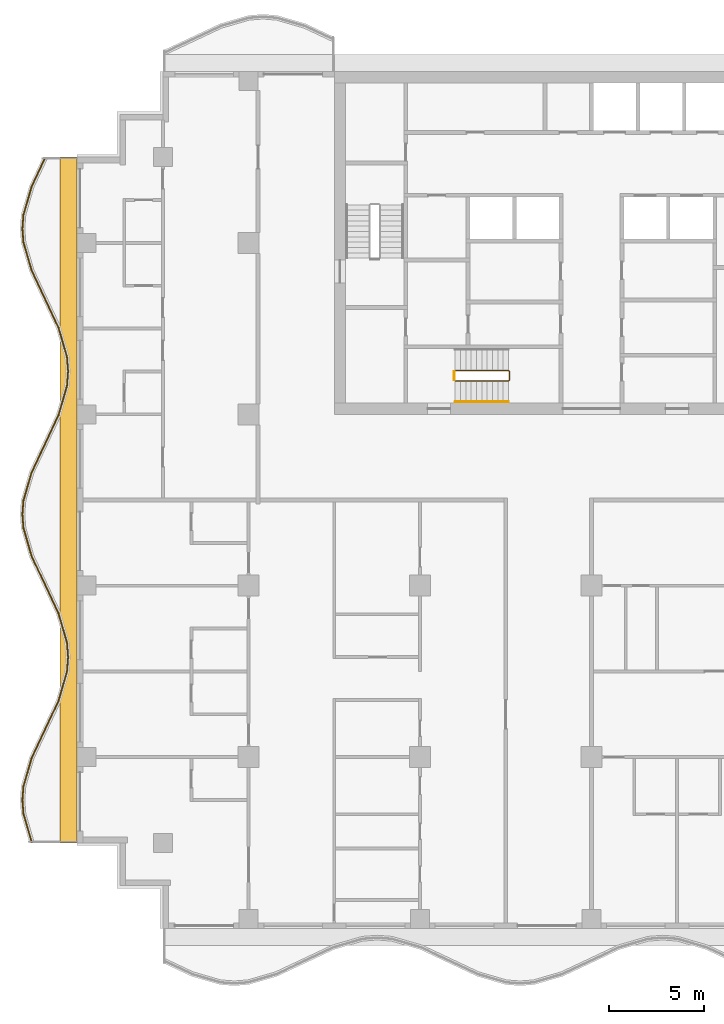
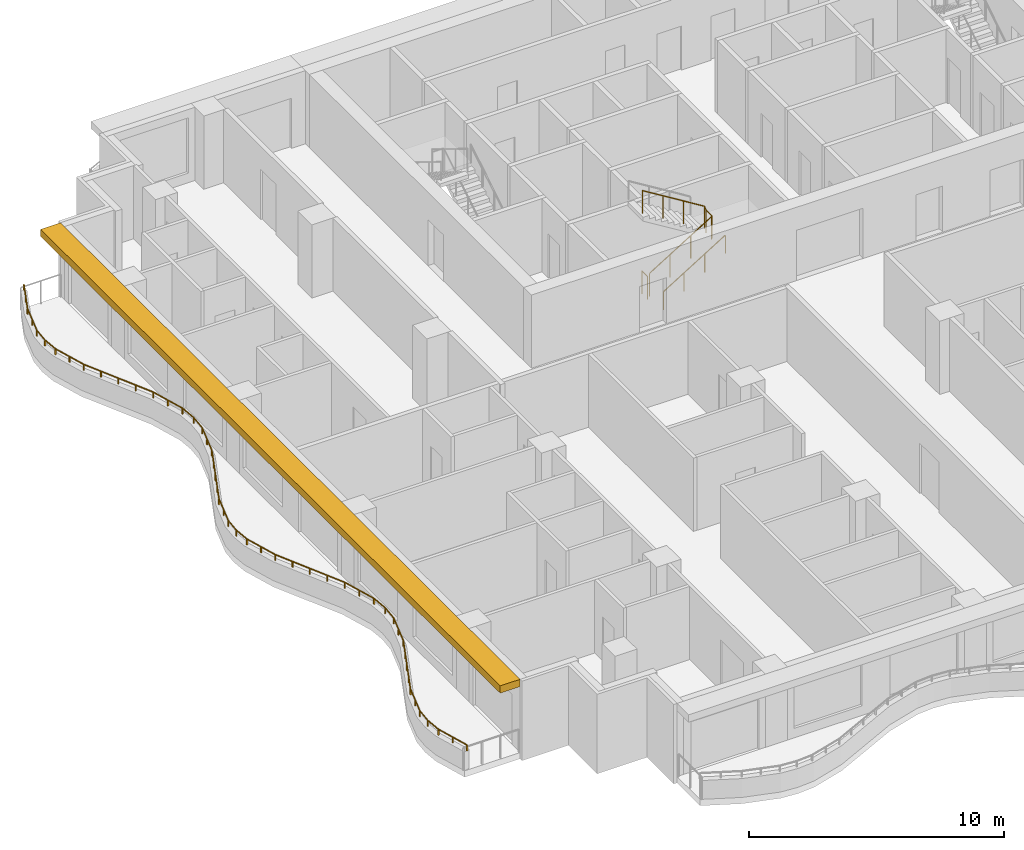
# One storey, part 10 of 12: 4 railings, 1 shading device.
"""IFC4 building model written with IfcOpenShell, lengths in metres."""

from ifc_helpers import new_model, si_unit, direction, frame, origin, origin_2d, place, context, subcontext, project, spatial, polyline, rectangle, circle, outline, extrude, material, layer, layer_set, type_object, element, save


model = new_model("IFC4")

# Units and contexts
model_context = context("Model", 3, precision=1e-05, world=origin(), true_north=direction((0.0, 1.0)))
body_context = subcontext(model_context, "Body", "Model", "MODEL_VIEW")
ifc_project = project(units=[si_unit("LENGTHUNIT", "METRE"), si_unit("AREAUNIT", "SQUARE_METRE"), si_unit("VOLUMEUNIT", "CUBIC_METRE"), si_unit("PLANEANGLEUNIT", "RADIAN"), si_unit("MASSUNIT", "GRAM", prefix="KILO")], contexts=[model_context])

# Site, building, storey
site_placement = place(None, origin())
site = spatial("IfcSite", under=ifc_project, at=site_placement, CompositionType="ELEMENT")
building_placement = place(site_placement, origin())
building = spatial("IfcBuilding", under=site, at=building_placement, Name="Orbiselva Terraces", CompositionType="ELEMENT")
storey_placement = place(building_placement, frame((0.0, 0.0, 211.0)))
storey = spatial("IfcBuildingStorey", under=building, at=storey_placement, Name="L53", CompositionType="ELEMENT", Elevation=211.0)

# Railings
ifc_material_1 = material(Name="Stainless steel", Category="steel")
railing_type_1 = type_object("IfcRailingType", Name="CORE-GUARD-1100", PredefinedType="GUARDRAIL", material=ifc_material_1)
railing_1_placement = place(storey_placement, frame((-7.15, 6.25, 0.172727)))
element("IfcRailing", 1, at=railing_1_placement, inside=storey, type_object=railing_type_1, Name="L53 S3 stair guard 1", PredefinedType="GUARDRAIL", context=body_context, shape_type="SweptSolid", body=[
    extrude(circle(Radius=0.024, at=origin_2d()), frame((0.0, 0.0, 1.081), z_axis=(0.851088519012, 0.0, 0.52502222125), x_axis=(0.0, 1.0, 0.0)), (0.0, 0.0, 1.0), 3.289905),
    extrude(circle(Radius=0.024, at=origin_2d()), frame((2.8, 0.0, 2.808273), z_axis=(0.707106781187, 0.707106781187, 0.0), x_axis=(-0.707106781187, 0.707106781187, 0.0)), (0.0, 0.0, 1.0), 0.070711),
    extrude(circle(Radius=0.024, at=origin_2d()), frame((2.85, 0.05, 2.808273), z_axis=(0.0, 1.0, 0.0), x_axis=(-1.0, 0.0, 0.0)), (0.0, 0.0, 1.0), 0.45),
    extrude(circle(Radius=0.024, at=origin_2d()), frame((2.85, 0.5, 2.808273), z_axis=(-0.267894925557, 0.267894925557, 0.925453736133), x_axis=(-0.707106781187, -0.707106781187, 0.0)), (0.0, 0.0, 1.0), 0.18664),
    extrude(circle(Radius=0.024, at=origin_2d()), frame((2.8, 0.55, 2.981), z_axis=(-0.851088519012, 0.0, 0.52502222125), x_axis=(0.0, -1.0, 0.0)), (0.0, 0.0, 1.0), 3.289905),
    extrude(circle(Radius=0.021, at=origin_2d()), origin(), (0.0, 0.0, 1.0), 1.057),
    extrude(circle(Radius=0.021, at=origin_2d()), frame((0.933333, 0.0, 0.575758)), (0.0, 0.0, 1.0), 1.057),
    extrude(circle(Radius=0.021, at=origin_2d()), frame((1.866667, 0.0, 1.151515)), (0.0, 0.0, 1.0), 1.057),
    extrude(circle(Radius=0.021, at=origin_2d()), frame((2.8, 0.0, 1.727273)), (0.0, 0.0, 1.0), 1.057),
    extrude(circle(Radius=0.021, at=origin_2d()), frame((2.85, 0.05, 1.727273)), (0.0, 0.0, 1.0), 1.057),
    extrude(circle(Radius=0.021, at=origin_2d()), frame((2.85, 0.5, 1.727273)), (0.0, 0.0, 1.0), 1.057),
    extrude(circle(Radius=0.021, at=origin_2d()), frame((2.8, 0.55, 1.9)), (0.0, 0.0, 1.0), 1.057),
    extrude(circle(Radius=0.021, at=origin_2d()), frame((1.866667, 0.55, 2.475758)), (0.0, 0.0, 1.0), 1.057),
    extrude(circle(Radius=0.021, at=origin_2d()), frame((0.933333, 0.55, 3.051515)), (0.0, 0.0, 1.0), 1.057),
    extrude(circle(Radius=0.021, at=origin_2d()), frame((0.0, 0.55, 3.627273)), (0.0, 0.0, 1.0), 1.057),
])
railing_2_placement = place(storey_placement, frame((-7.2, 6.3, 0.0)))
element("IfcRailing", 2, at=railing_2_placement, inside=storey, type_object=railing_type_1, Name="L53 S3 stair guard 2", PredefinedType="GUARDRAIL", context=body_context, shape_type="SweptSolid", body=[
    extrude(circle(Radius=0.024, at=origin_2d()), frame((0.0, 0.0, 1.081), z_axis=(0.0, 1.0, 0.0), x_axis=(-1.0, 0.0, 0.0)), (0.0, 0.0, 1.0), 0.45),
    extrude(circle(Radius=0.021, at=origin_2d()), origin(), (0.0, 0.0, 1.0), 1.057),
    extrude(circle(Radius=0.021, at=origin_2d()), frame((0.0, 0.45, 0.0)), (0.0, 0.0, 1.0), 1.057),
])
railing_type_2 = type_object("IfcRailingType", Name="CORE-HANDRAIL-900", PredefinedType="HANDRAIL", material=ifc_material_1)
railing_3_placement = place(storey_placement, frame((-7.15, 5.15, 0.172727)))
element("IfcRailing", 3, at=railing_3_placement, inside=storey, type_object=railing_type_2, Name="L53 S3 stair handrail 1", PredefinedType="HANDRAIL", context=body_context, shape_type="SweptSolid", body=[
    extrude(circle(Radius=0.024, at=origin_2d()), frame((0.0, 0.0, 0.876), z_axis=(0.851088519012, 0.0, 0.52502222125), x_axis=(0.0, 1.0, 0.0)), (0.0, 0.0, 1.0), 3.289905),
    extrude(circle(Radius=0.021, at=origin_2d()), origin(), (0.0, 0.0, 1.0), 0.852),
    extrude(circle(Radius=0.021, at=origin_2d()), frame((0.933333, 0.0, 0.575758)), (0.0, 0.0, 1.0), 0.852),
    extrude(circle(Radius=0.021, at=origin_2d()), frame((1.866667, 0.0, 1.151515)), (0.0, 0.0, 1.0), 0.852),
    extrude(circle(Radius=0.021, at=origin_2d()), frame((2.8, 0.0, 1.727273)), (0.0, 0.0, 1.0), 0.852),
])
ifc_material_2 = material(Name="Bonded two-ply safety glass balustrade, stainless steel posts", Category="steel")
railing_type_3 = type_object("IfcRailingType", Name="ENV-BALUSTRADE-1200", PredefinedType="BALUSTRADE", material=ifc_material_2)
railing_4_placement = place(storey_placement, frame((-28.686882, 17.946809, 0.9)))
element("IfcRailing", 4, at=railing_4_placement, inside=storey, type_object=railing_type_3, Name="Balcony balustrade L53 W", PredefinedType="BALUSTRADE", context=body_context, shape_type="SweptSolid", body=[
    extrude(outline(polyline([(0.028868, 0.0), (0.014434, 0.025), (-0.014434, 0.025), (-0.028868, 0.0), (-0.014434, -0.025), (0.014434, -0.025), (0.028868, 0.0)])), frame((0.0, 0.0, 0.275), z_axis=(-0.425529912322, -0.904944359461, 0.0), x_axis=(0.904944359461, -0.425529912322, 0.0)), (0.0, 0.0, 1.0), 1.647746),
    extrude(outline(polyline([(0.028868, 0.0), (0.014434, 0.025), (-0.014434, 0.025), (-0.028868, 0.0), (-0.014434, -0.025), (0.014434, -0.025), (0.028868, 0.0)])), frame((-0.701165, -1.491118, 0.275), z_axis=(-0.279071528957, -0.960270317007, 0.0), x_axis=(0.960270317007, -0.279071528957, 0.0)), (0.0, 0.0, 1.0), 1.539408),
    extrude(outline(polyline([(0.028868, 0.0), (0.014434, 0.025), (-0.014434, 0.025), (-0.028868, 0.0), (-0.014434, -0.025), (0.014434, -0.025), (0.028868, 0.0)])), frame((-1.13077, -2.969366, 0.275), z_axis=(-0.078069536776, -0.996947916106, 0.0), x_axis=(0.996947916106, -0.078069536776, 0.0)), (0.0, 0.0, 1.0), 0.72967),
    extrude(outline(polyline([(0.028868, 0.0), (0.014434, 0.025), (-0.014434, 0.025), (-0.028868, 0.0), (-0.014434, -0.025), (0.014434, -0.025), (0.028868, 0.0)])), frame((-1.187735, -3.696809, 0.275), z_axis=(0.078069536776, -0.996947916106, 0.0), x_axis=(0.996947916106, 0.078069536776, 0.0)), (0.0, 0.0, 1.0), 0.72967),
    extrude(outline(polyline([(0.028868, 0.0), (0.014434, 0.025), (-0.014434, 0.025), (-0.028868, 0.0), (-0.014434, -0.025), (0.014434, -0.025), (0.028868, 0.0)])), frame((-1.13077, -4.424252, 0.275), z_axis=(0.279071528957, -0.960270317007, 0.0), x_axis=(0.960270317007, 0.279071528957, 0.0)), (0.0, 0.0, 1.0), 1.539408),
    extrude(outline(polyline([(0.028868, 0.0), (0.014434, 0.025), (-0.014434, 0.025), (-0.028868, 0.0), (-0.014434, -0.025), (0.014434, -0.025), (0.028868, 0.0)])), frame((-0.701165, -5.9025, 0.275), z_axis=(0.425529912322, -0.904944359461, 0.0), x_axis=(0.904944359461, 0.425529912322, 0.0)), (0.0, 0.0, 1.0), 1.647746),
    extrude(outline(polyline([(0.028868, 0.0), (0.014434, 0.025), (-0.014434, 0.025), (-0.028868, 0.0), (-0.014434, -0.025), (0.014434, -0.025), (0.028868, 0.0)])), frame((0.0, -7.393618, 0.275), z_axis=(0.425530342069, -0.904944157382, 0.0), x_axis=(0.904944157382, 0.425530342069, 0.0)), (0.0, 0.0, 1.0), 1.667376),
    extrude(outline(polyline([(0.028868, 0.0), (0.014434, 0.025), (-0.014434, 0.025), (-0.028868, 0.0), (-0.014434, -0.025), (0.014434, -0.025), (0.028868, 0.0)])), frame((0.709519, -8.9025, 0.275), z_axis=(0.279070928786, -0.960270491427, 0.0), x_axis=(0.960270491427, 0.279070928786, 0.0)), (0.0, 0.0, 1.0), 1.584712),
    extrude(outline(polyline([(0.028868, 0.0), (0.014434, 0.025), (-0.014434, 0.025), (-0.028868, 0.0), (-0.014434, -0.025), (0.014434, -0.025), (0.028868, 0.0)])), frame((1.151766, -10.424252, 0.275), z_axis=(0.078071061106, -0.996947796737, 0.0), x_axis=(0.996947796737, 0.078071061106, 0.0)), (0.0, 0.0, 1.0), 0.774922),
    extrude(outline(polyline([(0.028868, 0.0), (0.014434, 0.025), (-0.014434, 0.025), (-0.028868, 0.0), (-0.014434, -0.025), (0.014434, -0.025), (0.028868, 0.0)])), frame((1.212265, -11.196809, 0.275), z_axis=(-0.078071061106, -0.996947796737, 0.0), x_axis=(0.996947796737, -0.078071061106, 0.0)), (0.0, 0.0, 1.0), 0.774922),
    extrude(outline(polyline([(0.028868, 0.0), (0.014434, 0.025), (-0.014434, 0.025), (-0.028868, 0.0), (-0.014434, -0.025), (0.014434, -0.025), (0.028868, 0.0)])), frame((1.151766, -11.969366, 0.275), z_axis=(-0.279070928786, -0.960270491427, 0.0), x_axis=(0.960270491427, -0.279070928786, 0.0)), (0.0, 0.0, 1.0), 1.584712),
    extrude(outline(polyline([(0.028868, 0.0), (0.014434, 0.025), (-0.014434, 0.025), (-0.028868, 0.0), (-0.014434, -0.025), (0.014434, -0.025), (0.028868, 0.0)])), frame((0.709519, -13.491118, 0.275), z_axis=(-0.425530342069, -0.904944157382, 0.0), x_axis=(0.904944157382, -0.425530342069, 0.0)), (0.0, 0.0, 1.0), 1.667376),
    extrude(outline(polyline([(0.028868, 0.0), (0.014434, 0.025), (-0.014434, 0.025), (-0.028868, 0.0), (-0.014434, -0.025), (0.014434, -0.025), (0.028868, 0.0)])), frame((0.0, -15.0, 0.275), z_axis=(-0.425529912322, -0.904944359461, 0.0), x_axis=(0.904944359461, -0.425529912322, 0.0)), (0.0, 0.0, 1.0), 1.647746),
    extrude(outline(polyline([(0.028868, 0.0), (0.014434, 0.025), (-0.014434, 0.025), (-0.028868, 0.0), (-0.014434, -0.025), (0.014434, -0.025), (0.028868, 0.0)])), frame((-0.701165, -16.491118, 0.275), z_axis=(-0.279071528957, -0.960270317007, 0.0), x_axis=(0.960270317007, -0.279071528957, 0.0)), (0.0, 0.0, 1.0), 1.539408),
    extrude(outline(polyline([(0.028868, 0.0), (0.014434, 0.025), (-0.014434, 0.025), (-0.028868, 0.0), (-0.014434, -0.025), (0.014434, -0.025), (0.028868, 0.0)])), frame((-1.13077, -17.969366, 0.275), z_axis=(-0.078069536776, -0.996947916106, 0.0), x_axis=(0.996947916106, -0.078069536776, 0.0)), (0.0, 0.0, 1.0), 0.72967),
    extrude(outline(polyline([(0.028868, 0.0), (0.014434, 0.025), (-0.014434, 0.025), (-0.028868, 0.0), (-0.014434, -0.025), (0.014434, -0.025), (0.028868, 0.0)])), frame((-1.187735, -18.696809, 0.275), z_axis=(0.078069536776, -0.996947916106, 0.0), x_axis=(0.996947916106, 0.078069536776, 0.0)), (0.0, 0.0, 1.0), 0.72967),
    extrude(outline(polyline([(0.028868, 0.0), (0.014434, 0.025), (-0.014434, 0.025), (-0.028868, 0.0), (-0.014434, -0.025), (0.014434, -0.025), (0.028868, 0.0)])), frame((-1.13077, -19.424252, 0.275), z_axis=(0.279071528957, -0.960270317007, 0.0), x_axis=(0.960270317007, 0.279071528957, 0.0)), (0.0, 0.0, 1.0), 1.539408),
    extrude(outline(polyline([(0.028868, 0.0), (0.014434, 0.025), (-0.014434, 0.025), (-0.028868, 0.0), (-0.014434, -0.025), (0.014434, -0.025), (0.028868, 0.0)])), frame((-0.701165, -20.9025, 0.275), z_axis=(0.425529912322, -0.904944359461, 0.0), x_axis=(0.904944359461, 0.425529912322, 0.0)), (0.0, 0.0, 1.0), 1.647746),
    extrude(outline(polyline([(0.028868, 0.0), (0.014434, 0.025), (-0.014434, 0.025), (-0.028868, 0.0), (-0.014434, -0.025), (0.014434, -0.025), (0.028868, 0.0)])), frame((0.0, -22.393618, 0.275), z_axis=(0.425530342069, -0.904944157382, 0.0), x_axis=(0.904944157382, 0.425530342069, 0.0)), (0.0, 0.0, 1.0), 1.667376),
    extrude(outline(polyline([(0.028868, 0.0), (0.014434, 0.025), (-0.014434, 0.025), (-0.028868, 0.0), (-0.014434, -0.025), (0.014434, -0.025), (0.028868, 0.0)])), frame((0.709519, -23.9025, 0.275), z_axis=(0.279070928786, -0.960270491427, 0.0), x_axis=(0.960270491427, 0.279070928786, 0.0)), (0.0, 0.0, 1.0), 1.584712),
    extrude(outline(polyline([(0.028868, 0.0), (0.014434, 0.025), (-0.014434, 0.025), (-0.028868, 0.0), (-0.014434, -0.025), (0.014434, -0.025), (0.028868, 0.0)])), frame((1.151766, -25.424252, 0.275), z_axis=(0.078071061106, -0.996947796737, 0.0), x_axis=(0.996947796737, 0.078071061106, 0.0)), (0.0, 0.0, 1.0), 0.774922),
    extrude(outline(polyline([(0.028868, 0.0), (0.014434, 0.025), (-0.014434, 0.025), (-0.028868, 0.0), (-0.014434, -0.025), (0.014434, -0.025), (0.028868, 0.0)])), frame((1.212265, -26.196809, 0.275), z_axis=(-0.078071061106, -0.996947796737, 0.0), x_axis=(0.996947796737, -0.078071061106, 0.0)), (0.0, 0.0, 1.0), 0.774922),
    extrude(outline(polyline([(0.028868, 0.0), (0.014434, 0.025), (-0.014434, 0.025), (-0.028868, 0.0), (-0.014434, -0.025), (0.014434, -0.025), (0.028868, 0.0)])), frame((1.151766, -26.969366, 0.275), z_axis=(-0.279070928786, -0.960270491427, 0.0), x_axis=(0.960270491427, -0.279070928786, 0.0)), (0.0, 0.0, 1.0), 1.584712),
    extrude(outline(polyline([(0.028868, 0.0), (0.014434, 0.025), (-0.014434, 0.025), (-0.028868, 0.0), (-0.014434, -0.025), (0.014434, -0.025), (0.028868, 0.0)])), frame((0.709519, -28.491118, 0.275), z_axis=(-0.425530342069, -0.904944157382, 0.0), x_axis=(0.904944157382, -0.425530342069, 0.0)), (0.0, 0.0, 1.0), 1.667376),
    extrude(outline(polyline([(0.028868, 0.0), (0.014434, 0.025), (-0.014434, 0.025), (-0.028868, 0.0), (-0.014434, -0.025), (0.014434, -0.025), (0.028868, 0.0)])), frame((0.0, -30.0, 0.275), z_axis=(-0.425529912322, -0.904944359461, 0.0), x_axis=(0.904944359461, -0.425529912322, 0.0)), (0.0, 0.0, 1.0), 1.647746),
    extrude(outline(polyline([(0.028868, 0.0), (0.014434, 0.025), (-0.014434, 0.025), (-0.028868, 0.0), (-0.014434, -0.025), (0.014434, -0.025), (0.028868, 0.0)])), frame((-0.701165, -31.491118, 0.275), z_axis=(-0.279071528957, -0.960270317007, 0.0), x_axis=(0.960270317007, -0.279071528957, 0.0)), (0.0, 0.0, 1.0), 1.539408),
    extrude(outline(polyline([(0.028868, 0.0), (0.014434, 0.025), (-0.014434, 0.025), (-0.028868, 0.0), (-0.014434, -0.025), (0.014434, -0.025), (0.028868, 0.0)])), frame((-1.13077, -32.969366, 0.275), z_axis=(-0.078069536776, -0.996947916106, 0.0), x_axis=(0.996947916106, -0.078069536776, 0.0)), (0.0, 0.0, 1.0), 0.72967),
    extrude(outline(polyline([(0.028868, 0.0), (0.014434, 0.025), (-0.014434, 0.025), (-0.028868, 0.0), (-0.014434, -0.025), (0.014434, -0.025), (0.028868, 0.0)])), frame((-1.187735, -33.696809, 0.275), z_axis=(0.078069536776, -0.996947916106, 0.0), x_axis=(0.996947916106, 0.078069536776, 0.0)), (0.0, 0.0, 1.0), 0.72967),
    extrude(outline(polyline([(0.028868, 0.0), (0.014434, 0.025), (-0.014434, 0.025), (-0.028868, 0.0), (-0.014434, -0.025), (0.014434, -0.025), (0.028868, 0.0)])), frame((-1.13077, -34.424252, 0.275), z_axis=(0.279071486336, -0.960270329394, 0.0), x_axis=(0.960270329394, 0.279071486336, 0.0)), (0.0, 0.0, 1.0), 1.549223),
    extrude(rectangle(XDim=0.05, YDim=0.05, at=origin_2d()), origin(), (0.0, 0.0, 1.0), 0.25),
    extrude(rectangle(XDim=0.05, YDim=0.05, at=origin_2d()), frame((-0.350582, -0.745559, 0.0)), (0.0, 0.0, 1.0), 0.25),
    extrude(rectangle(XDim=0.05, YDim=0.05, at=origin_2d()), frame((-0.701165, -1.491118, 0.0)), (0.0, 0.0, 1.0), 0.25),
    extrude(rectangle(XDim=0.05, YDim=0.05, at=origin_2d()), frame((-0.915967, -2.230242, 0.0)), (0.0, 0.0, 1.0), 0.25),
    extrude(rectangle(XDim=0.05, YDim=0.05, at=origin_2d()), frame((-1.13077, -2.969366, 0.0)), (0.0, 0.0, 1.0), 0.25),
    extrude(rectangle(XDim=0.05, YDim=0.05, at=origin_2d()), frame((-1.187735, -3.696809, 0.0)), (0.0, 0.0, 1.0), 0.25),
    extrude(rectangle(XDim=0.05, YDim=0.05, at=origin_2d()), frame((-1.13077, -4.424252, 0.0)), (0.0, 0.0, 1.0), 0.25),
    extrude(rectangle(XDim=0.05, YDim=0.05, at=origin_2d()), frame((-0.915967, -5.163376, 0.0)), (0.0, 0.0, 1.0), 0.25),
    extrude(rectangle(XDim=0.05, YDim=0.05, at=origin_2d()), frame((-0.701165, -5.9025, 0.0)), (0.0, 0.0, 1.0), 0.25),
    extrude(rectangle(XDim=0.05, YDim=0.05, at=origin_2d()), frame((-0.350582, -6.648059, 0.0)), (0.0, 0.0, 1.0), 0.25),
    extrude(rectangle(XDim=0.05, YDim=0.05, at=origin_2d()), frame((0.0, -7.393618, 0.0)), (0.0, 0.0, 1.0), 0.25),
    extrude(rectangle(XDim=0.05, YDim=0.05, at=origin_2d()), frame((0.35476, -8.148059, 0.0)), (0.0, 0.0, 1.0), 0.25),
    extrude(rectangle(XDim=0.05, YDim=0.05, at=origin_2d()), frame((0.709519, -8.9025, 0.0)), (0.0, 0.0, 1.0), 0.25),
    extrude(rectangle(XDim=0.05, YDim=0.05, at=origin_2d()), frame((0.930643, -9.663376, 0.0)), (0.0, 0.0, 1.0), 0.25),
    extrude(rectangle(XDim=0.05, YDim=0.05, at=origin_2d()), frame((1.151766, -10.424252, 0.0)), (0.0, 0.0, 1.0), 0.25),
    extrude(rectangle(XDim=0.05, YDim=0.05, at=origin_2d()), frame((1.212265, -11.196809, 0.0)), (0.0, 0.0, 1.0), 0.25),
    extrude(rectangle(XDim=0.05, YDim=0.05, at=origin_2d()), frame((1.151766, -11.969366, 0.0)), (0.0, 0.0, 1.0), 0.25),
    extrude(rectangle(XDim=0.05, YDim=0.05, at=origin_2d()), frame((0.930643, -12.730242, 0.0)), (0.0, 0.0, 1.0), 0.25),
    extrude(rectangle(XDim=0.05, YDim=0.05, at=origin_2d()), frame((0.709519, -13.491118, 0.0)), (0.0, 0.0, 1.0), 0.25),
    extrude(rectangle(XDim=0.05, YDim=0.05, at=origin_2d()), frame((0.35476, -14.245559, 0.0)), (0.0, 0.0, 1.0), 0.25),
    extrude(rectangle(XDim=0.05, YDim=0.05, at=origin_2d()), frame((0.0, -15.0, 0.0)), (0.0, 0.0, 1.0), 0.25),
    extrude(rectangle(XDim=0.05, YDim=0.05, at=origin_2d()), frame((-0.350582, -15.745559, 0.0)), (0.0, 0.0, 1.0), 0.25),
    extrude(rectangle(XDim=0.05, YDim=0.05, at=origin_2d()), frame((-0.701165, -16.491118, 0.0)), (0.0, 0.0, 1.0), 0.25),
    extrude(rectangle(XDim=0.05, YDim=0.05, at=origin_2d()), frame((-0.915967, -17.230242, 0.0)), (0.0, 0.0, 1.0), 0.25),
    extrude(rectangle(XDim=0.05, YDim=0.05, at=origin_2d()), frame((-1.13077, -17.969366, 0.0)), (0.0, 0.0, 1.0), 0.25),
    extrude(rectangle(XDim=0.05, YDim=0.05, at=origin_2d()), frame((-1.187735, -18.696809, 0.0)), (0.0, 0.0, 1.0), 0.25),
    extrude(rectangle(XDim=0.05, YDim=0.05, at=origin_2d()), frame((-1.13077, -19.424252, 0.0)), (0.0, 0.0, 1.0), 0.25),
    extrude(rectangle(XDim=0.05, YDim=0.05, at=origin_2d()), frame((-0.915967, -20.163376, 0.0)), (0.0, 0.0, 1.0), 0.25),
    extrude(rectangle(XDim=0.05, YDim=0.05, at=origin_2d()), frame((-0.701165, -20.9025, 0.0)), (0.0, 0.0, 1.0), 0.25),
    extrude(rectangle(XDim=0.05, YDim=0.05, at=origin_2d()), frame((-0.350582, -21.648059, 0.0)), (0.0, 0.0, 1.0), 0.25),
    extrude(rectangle(XDim=0.05, YDim=0.05, at=origin_2d()), frame((0.0, -22.393618, 0.0)), (0.0, 0.0, 1.0), 0.25),
    extrude(rectangle(XDim=0.05, YDim=0.05, at=origin_2d()), frame((0.35476, -23.148059, 0.0)), (0.0, 0.0, 1.0), 0.25),
    extrude(rectangle(XDim=0.05, YDim=0.05, at=origin_2d()), frame((0.709519, -23.9025, 0.0)), (0.0, 0.0, 1.0), 0.25),
    extrude(rectangle(XDim=0.05, YDim=0.05, at=origin_2d()), frame((0.930643, -24.663376, 0.0)), (0.0, 0.0, 1.0), 0.25),
    extrude(rectangle(XDim=0.05, YDim=0.05, at=origin_2d()), frame((1.151766, -25.424252, 0.0)), (0.0, 0.0, 1.0), 0.25),
    extrude(rectangle(XDim=0.05, YDim=0.05, at=origin_2d()), frame((1.212265, -26.196809, 0.0)), (0.0, 0.0, 1.0), 0.25),
    extrude(rectangle(XDim=0.05, YDim=0.05, at=origin_2d()), frame((1.151766, -26.969366, 0.0)), (0.0, 0.0, 1.0), 0.25),
    extrude(rectangle(XDim=0.05, YDim=0.05, at=origin_2d()), frame((0.930643, -27.730242, 0.0)), (0.0, 0.0, 1.0), 0.25),
    extrude(rectangle(XDim=0.05, YDim=0.05, at=origin_2d()), frame((0.709519, -28.491118, 0.0)), (0.0, 0.0, 1.0), 0.25),
    extrude(rectangle(XDim=0.05, YDim=0.05, at=origin_2d()), frame((0.35476, -29.245559, 0.0)), (0.0, 0.0, 1.0), 0.25),
    extrude(rectangle(XDim=0.05, YDim=0.05, at=origin_2d()), frame((0.0, -30.0, 0.0)), (0.0, 0.0, 1.0), 0.25),
    extrude(rectangle(XDim=0.05, YDim=0.05, at=origin_2d()), frame((-0.350582, -30.745559, 0.0)), (0.0, 0.0, 1.0), 0.25),
    extrude(rectangle(XDim=0.05, YDim=0.05, at=origin_2d()), frame((-0.701165, -31.491118, 0.0)), (0.0, 0.0, 1.0), 0.25),
    extrude(rectangle(XDim=0.05, YDim=0.05, at=origin_2d()), frame((-0.915967, -32.230242, 0.0)), (0.0, 0.0, 1.0), 0.25),
    extrude(rectangle(XDim=0.05, YDim=0.05, at=origin_2d()), frame((-1.13077, -32.969366, 0.0)), (0.0, 0.0, 1.0), 0.25),
    extrude(rectangle(XDim=0.05, YDim=0.05, at=origin_2d()), frame((-1.187735, -33.696809, 0.0)), (0.0, 0.0, 1.0), 0.25),
    extrude(rectangle(XDim=0.05, YDim=0.05, at=origin_2d()), frame((-1.13077, -34.424252, 0.0)), (0.0, 0.0, 1.0), 0.25),
    extrude(rectangle(XDim=0.05, YDim=0.05, at=origin_2d()), frame((-0.914598, -35.168088, 0.0)), (0.0, 0.0, 1.0), 0.25),
    extrude(rectangle(XDim=0.05, YDim=0.05, at=origin_2d()), frame((-0.698426, -35.911925, 0.0)), (0.0, 0.0, 1.0), 0.25),
])

# Shading device
ifc_material_3 = material(Name="Terracotta baguette sunshade", Category="masonry")
ifc_layer = layer(ifc_material_3, 0.35)
ifc_layer_set = layer_set([ifc_layer], Name="Terracotta baguette sunshade")
shading_device_type = type_object("IfcShadingDeviceType", Name="ENV-SUNSHADE-900x350", PredefinedType="USERDEFINED", material=ifc_layer_set)
shading_device_placement = place(storey_placement, frame((0.0, 0.0, 3.15)))
element("IfcShadingDevice", 5, at=shading_device_placement, inside=storey, type_object=shading_device_type, Name="Sunshade band L53 W", ObjectType="SUNSHADE", PredefinedType="USERDEFINED", context=body_context, shape_type="SweptSolid", body=[
    extrude(outline(polyline([(-27.9, 18.0), (-27.9, -18.0), (-27.0, -18.0), (-27.0, 18.0), (-27.9, 18.0)])), origin(), (0.0, 0.0, 1.0), 0.35),
])

save(model, "model.ifc")
